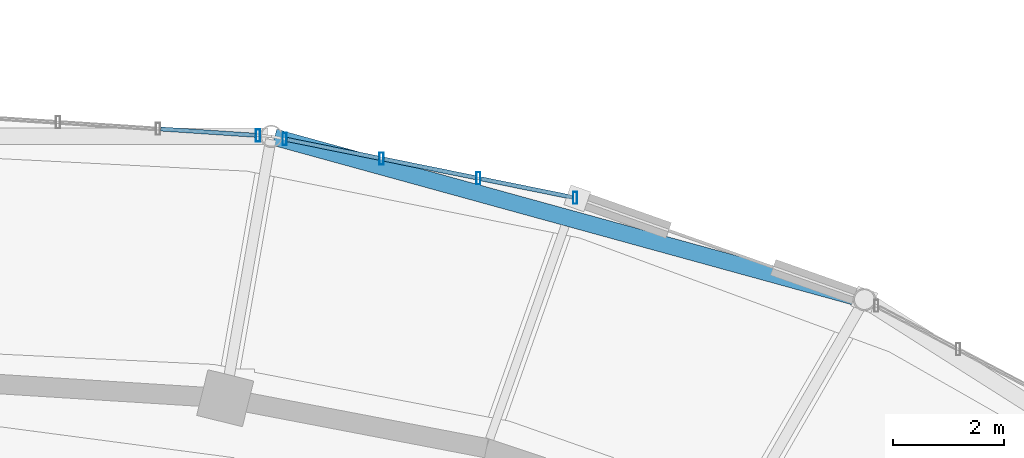
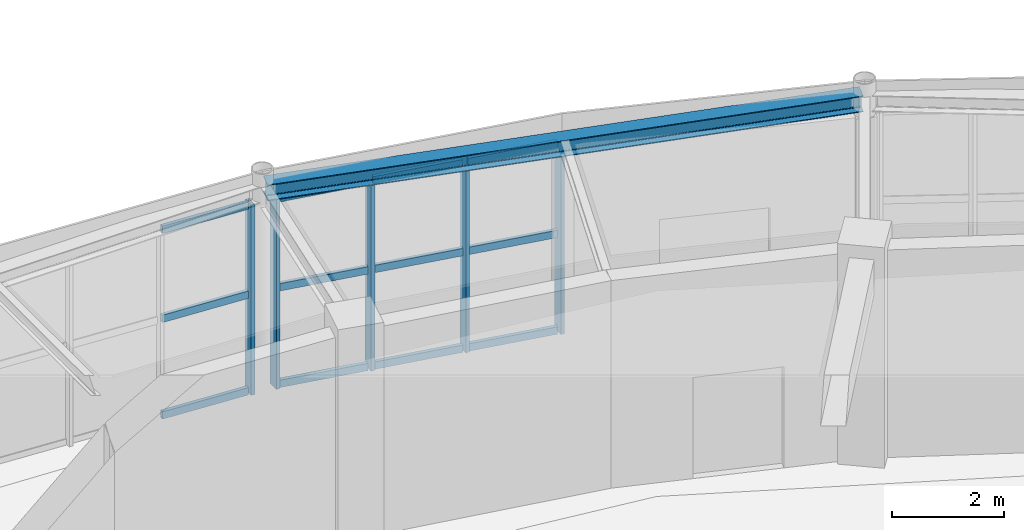
# One storey, part 57 of 108: 17 members, 1 beam, 2 elements without a shape of their own.
"""IFC4 building model written with IfcOpenShell, lengths in metres."""

from ifc_helpers import new_model, si_unit, direction, frame, origin, origin_2d, place, context, subcontext, project, spatial, hollow_rectangle, i_section, extrude, material, material_profile, profile_set, type_object, element, aggregate, save


model = new_model("IFC4")

# Units and contexts
model_context = context("Model", 3, precision=1e-05, world=origin(), true_north=direction((0.0, 1.0)))
body_context = subcontext(model_context, "Body", "Model", "MODEL_VIEW")
ifc_project = project(units=[si_unit("LENGTHUNIT", "METRE"), si_unit("AREAUNIT", "SQUARE_METRE"), si_unit("VOLUMEUNIT", "CUBIC_METRE"), si_unit("PLANEANGLEUNIT", "RADIAN"), si_unit("MASSUNIT", "GRAM", prefix="KILO")], contexts=[model_context])

# Site, building, storey
site_placement = place(None, origin())
site = spatial("IfcSite", under=ifc_project, at=site_placement, CompositionType="ELEMENT")
building_placement = place(site_placement, origin())
building = spatial("IfcBuilding", under=site, at=building_placement, Name="Tarnveldt Headland Concert Hall", CompositionType="ELEMENT")
storey_placement = place(building_placement, origin())
storey = spatial("IfcBuildingStorey", under=building, at=storey_placement, Name="L00", CompositionType="ELEMENT", Elevation=0.0)

# Curtain wall, members
ifc_material_1 = material(Name="Marine-anodised aluminium EN AW-6063-T6", Category="aluminium")
curtain_wall_type = type_object("IfcCurtainWallType", Name="CW-F1", PredefinedType="NOTDEFINED", material=ifc_material_1)
curtain_wall_1_placement = place(storey_placement, origin())
curtain_wall_1 = element("IfcCurtainWall", 1, at=curtain_wall_1_placement, inside=storey, type_object=curtain_wall_type, Name="Curtain wall CW-L00-006", PredefinedType="NOTDEFINED")
ifc_material_profile_1 = material_profile(ifc_material_1, hollow_rectangle(XDim=0.074951171875, YDim=0.219970703125, WallThickness=0.0048828125, at=origin_2d()), Name="ALU MULLION 75x220x5", Category="aluminium")
ifc_profile_set_1 = profile_set([ifc_material_profile_1], Name="Marine-anodised aluminium EN AW-6063-T6")
member_type_1 = type_object("IfcMemberType", Name="ML-200", PredefinedType="MULLION", material=ifc_profile_set_1)
member_1_placement = place(storey_placement, frame((94.67919921875, 77.812255859375, 0.0), z_axis=(0.0, 0.0, 1.0), x_axis=(1.0, 0.0, 0.0)))
member_1 = element("IfcMember", 2, at=member_1_placement, type_object=member_type_1, Name="Mullion CW-L00-006-1", PredefinedType="MULLION", context=body_context, shape_type="SweptSolid", body=[
    extrude(hollow_rectangle(XDim=0.074951171875, YDim=0.219970703125, WallThickness=0.0048828125, at=origin_2d()), origin(), (0.0, 0.0, 1.0), 4.139892578125),
])
member_2_placement = place(storey_placement, frame((92.930908203125, 78.16650390625, 0.0), z_axis=(0.0, 0.0, 1.0), x_axis=(1.0, 0.0, 0.0)))
member_2 = element("IfcMember", 3, at=member_2_placement, type_object=member_type_1, Name="Mullion CW-L00-006-2", PredefinedType="MULLION", context=body_context, shape_type="SweptSolid", body=[
    extrude(hollow_rectangle(XDim=0.074951171875, YDim=0.219970703125, WallThickness=0.0048828125, at=origin_2d()), origin(), (0.0, 0.0, 1.0), 4.139892578125),
])
member_3_placement = place(storey_placement, frame((91.182373046875, 78.520751953125, 0.0), z_axis=(0.0, 0.0, 1.0), x_axis=(1.0, 0.0, 0.0)))
member_3 = element("IfcMember", 4, at=member_3_placement, type_object=member_type_1, Name="Mullion CW-L00-006-3", PredefinedType="MULLION", context=body_context, shape_type="SweptSolid", body=[
    extrude(hollow_rectangle(XDim=0.074951171875, YDim=0.219970703125, WallThickness=0.0048828125, at=origin_2d()), origin(), (0.0, 0.0, 1.0), 4.139892578125),
])
member_4_placement = place(storey_placement, frame((89.43408203125, 78.875, 0.0), z_axis=(0.0, 0.0, 1.0), x_axis=(1.0, 0.0, 0.0)))
member_4 = element("IfcMember", 5, at=member_4_placement, type_object=member_type_1, Name="Mullion CW-L00-006-4", PredefinedType="MULLION", context=body_context, shape_type="SweptSolid", body=[
    extrude(hollow_rectangle(XDim=0.074951171875, YDim=0.219970703125, WallThickness=0.0048828125, at=origin_2d()), origin(), (0.0, 0.0, 1.0), 4.139892578125),
])

# Curtain wall, member
curtain_wall_2_placement = place(storey_placement, origin())
curtain_wall_2 = element("IfcCurtainWall", 6, at=curtain_wall_2_placement, inside=storey, type_object=curtain_wall_type, Name="Curtain wall CW-L00-007", PredefinedType="NOTDEFINED")
member_5_placement = place(storey_placement, frame((88.952880859375, 78.939208984375, 0.0), z_axis=(0.0, 0.0, 1.0), x_axis=(1.0, 0.0, 0.0)))
member_5 = element("IfcMember", 7, at=member_5_placement, type_object=member_type_1, Name="Mullion CW-L00-007-1", PredefinedType="MULLION", context=body_context, shape_type="SweptSolid", body=[
    extrude(hollow_rectangle(XDim=0.074951171875, YDim=0.219970703125, WallThickness=0.0048828125, at=origin_2d()), origin(), (0.0, 0.0, 1.0), 4.139892578125),
])

# Beam
ifc_material_2 = material(Name="Steel S355", Category="steel")
ifc_material_profile_2 = material_profile(ifc_material_2, i_section(OverallWidth=0.300048828125, OverallDepth=0.35009765625, WebThickness=0.010009765625, FlangeThickness=0.017578125, FilletRadius=0.027099609375, at=origin_2d()), Name="HEA360", Category="steel")
ifc_profile_set_2 = profile_set([ifc_material_profile_2], Name="Steel S355")
beam_type = type_object("IfcBeamType", Name="SB-HEA360", PredefinedType="SPANDREL", material=ifc_profile_set_2)
beam_placement = place(storey_placement, frame((99.84228515625, 75.993408203125, 4.344970703125), z_axis=(-0.964161617091, 0.265315616065, 0.0), x_axis=(-0.265315616065, -0.964161617091, 0.0)))
element("IfcBeam", 8, at=beam_placement, inside=storey, type_object=beam_type, Name="Framing beam L00-356", PredefinedType="SPANDREL", context=body_context, shape_type="SweptSolid", body=[
    extrude(i_section(OverallWidth=0.300048828125, OverallDepth=0.35009765625, WebThickness=0.010009765625, FlangeThickness=0.017578125, FilletRadius=0.027099609375, at=origin_2d()), origin(), (0.0, 0.0, 1.0), 10.982421875),
])

# Member
ifc_material_profile_3 = material_profile(ifc_material_1, hollow_rectangle(XDim=0.074951171875, YDim=0.159912109375, WallThickness=0.00390625, at=origin_2d()), Name="ALU TRANSOM 75x160x4", Category="aluminium")
ifc_profile_set_3 = profile_set([ifc_material_profile_3], Name="Marine-anodised aluminium EN AW-6063-T6")
member_type_2 = type_object("IfcMemberType", Name="TR-160", PredefinedType="MEMBER", material=ifc_profile_set_3)
member_6_placement = place(storey_placement, frame((94.630615234375, 77.822021484375, 0.050048828125), z_axis=(-0.980070264474, 0.198651143198, 0.0), x_axis=(-0.198651143198, -0.980070264474, 0.0)))
member_6 = element("IfcMember", 9, at=member_6_placement, type_object=member_type_2, Name="Transom CW-L00-006-1-1", PredefinedType="MEMBER", context=body_context, shape_type="SweptSolid", body=[
    extrude(hollow_rectangle(XDim=0.074951171875, YDim=0.159912109375, WallThickness=0.00390625, at=origin_2d()), origin(), (0.0, 0.0, 1.0), 1.68505859375),
])

member_7_placement = place(storey_placement, frame((94.630615234375, 77.822021484375, 2.15283203125), z_axis=(-0.980070264474, 0.198651143198, 0.0), x_axis=(-0.198651143198, -0.980070264474, 0.0)))
member_7 = element("IfcMember", 10, at=member_7_placement, type_object=member_type_2, Name="Transom CW-L00-006-1-2", PredefinedType="MEMBER", context=body_context, shape_type="SweptSolid", body=[
    extrude(hollow_rectangle(XDim=0.074951171875, YDim=0.159912109375, WallThickness=0.00390625, at=origin_2d()), origin(), (0.0, 0.0, 1.0), 1.68505859375),
])

member_8_placement = place(storey_placement, frame((94.630615234375, 77.822021484375, 4.090087890625), z_axis=(-0.980070264474, 0.198651143198, 0.0), x_axis=(-0.198651143198, -0.980070264474, 0.0)))
member_8 = element("IfcMember", 11, at=member_8_placement, type_object=member_type_2, Name="Transom CW-L00-006-1-3", PredefinedType="MEMBER", context=body_context, shape_type="SweptSolid", body=[
    extrude(hollow_rectangle(XDim=0.074951171875, YDim=0.159912109375, WallThickness=0.00390625, at=origin_2d()), origin(), (0.0, 0.0, 1.0), 1.68505859375),
])

member_9_placement = place(storey_placement, frame((92.88232421875, 78.17626953125, 0.050048828125), z_axis=(-0.980070264474, 0.198651143198, 0.0), x_axis=(-0.198651143198, -0.980070264474, 0.0)))
member_9 = element("IfcMember", 12, at=member_9_placement, type_object=member_type_2, Name="Transom CW-L00-006-2-1", PredefinedType="MEMBER", context=body_context, shape_type="SweptSolid", body=[
    extrude(hollow_rectangle(XDim=0.074951171875, YDim=0.159912109375, WallThickness=0.00390625, at=origin_2d()), origin(), (0.0, 0.0, 1.0), 1.68505859375),
])

member_10_placement = place(storey_placement, frame((92.88232421875, 78.17626953125, 2.15283203125), z_axis=(-0.980070264474, 0.198651143198, 0.0), x_axis=(-0.198651143198, -0.980070264474, 0.0)))
member_10 = element("IfcMember", 13, at=member_10_placement, type_object=member_type_2, Name="Transom CW-L00-006-2-2", PredefinedType="MEMBER", context=body_context, shape_type="SweptSolid", body=[
    extrude(hollow_rectangle(XDim=0.074951171875, YDim=0.159912109375, WallThickness=0.00390625, at=origin_2d()), origin(), (0.0, 0.0, 1.0), 1.68505859375),
])

member_11_placement = place(storey_placement, frame((92.88232421875, 78.17626953125, 4.090087890625), z_axis=(-0.980070264474, 0.198651143198, 0.0), x_axis=(-0.198651143198, -0.980070264474, 0.0)))
member_11 = element("IfcMember", 14, at=member_11_placement, type_object=member_type_2, Name="Transom CW-L00-006-2-3", PredefinedType="MEMBER", context=body_context, shape_type="SweptSolid", body=[
    extrude(hollow_rectangle(XDim=0.074951171875, YDim=0.159912109375, WallThickness=0.00390625, at=origin_2d()), origin(), (0.0, 0.0, 1.0), 1.68505859375),
])

member_12_placement = place(storey_placement, frame((91.1337890625, 78.530517578125, 0.050048828125), z_axis=(-0.980092754065, 0.19854015571, 0.0), x_axis=(-0.19854015571, -0.980092754065, 0.0)))
member_12 = element("IfcMember", 15, at=member_12_placement, type_object=member_type_2, Name="Transom CW-L00-006-3-1", PredefinedType="MEMBER", context=body_context, shape_type="SweptSolid", body=[
    extrude(hollow_rectangle(XDim=0.074951171875, YDim=0.159912109375, WallThickness=0.00390625, at=origin_2d()), origin(), (0.0, 0.0, 1.0), 1.6845703125),
])

member_13_placement = place(storey_placement, frame((91.1337890625, 78.530517578125, 2.15283203125), z_axis=(-0.980092754065, 0.19854015571, 0.0), x_axis=(-0.19854015571, -0.980092754065, 0.0)))
member_13 = element("IfcMember", 16, at=member_13_placement, type_object=member_type_2, Name="Transom CW-L00-006-3-2", PredefinedType="MEMBER", context=body_context, shape_type="SweptSolid", body=[
    extrude(hollow_rectangle(XDim=0.074951171875, YDim=0.159912109375, WallThickness=0.00390625, at=origin_2d()), origin(), (0.0, 0.0, 1.0), 1.6845703125),
])

member_14_placement = place(storey_placement, frame((91.1337890625, 78.530517578125, 4.090087890625), z_axis=(-0.980092754065, 0.19854015571, 0.0), x_axis=(-0.19854015571, -0.980092754065, 0.0)))
member_14 = element("IfcMember", 17, at=member_14_placement, type_object=member_type_2, Name="Transom CW-L00-006-3-3", PredefinedType="MEMBER", context=body_context, shape_type="SweptSolid", body=[
    extrude(hollow_rectangle(XDim=0.074951171875, YDim=0.159912109375, WallThickness=0.00390625, at=origin_2d()), origin(), (0.0, 0.0, 1.0), 1.6845703125),
])

aggregate(curtain_wall_1, [member_1, member_2, member_3, member_4, member_6, member_7, member_8, member_9, member_10, member_11, member_12, member_13, member_14])

member_15_placement = place(storey_placement, frame((88.903564453125, 78.942626953125, 0.050048828125), z_axis=(-0.997820408488, 0.065988123207, 0.0), x_axis=(-0.065988123207, -0.997820408488, 0.0)))
member_15 = element("IfcMember", 18, at=member_15_placement, type_object=member_type_2, Name="Transom CW-L00-007-1-1", PredefinedType="MEMBER", context=body_context, shape_type="SweptSolid", body=[
    extrude(hollow_rectangle(XDim=0.074951171875, YDim=0.159912109375, WallThickness=0.00390625, at=origin_2d()), origin(), (0.0, 0.0, 1.0), 1.709228515625),
])

member_16_placement = place(storey_placement, frame((88.903564453125, 78.942626953125, 2.15283203125), z_axis=(-0.997820408488, 0.065988123207, 0.0), x_axis=(-0.065988123207, -0.997820408488, 0.0)))
member_16 = element("IfcMember", 19, at=member_16_placement, type_object=member_type_2, Name="Transom CW-L00-007-1-2", PredefinedType="MEMBER", context=body_context, shape_type="SweptSolid", body=[
    extrude(hollow_rectangle(XDim=0.074951171875, YDim=0.159912109375, WallThickness=0.00390625, at=origin_2d()), origin(), (0.0, 0.0, 1.0), 1.709228515625),
])

member_17_placement = place(storey_placement, frame((88.903564453125, 78.942626953125, 4.090087890625), z_axis=(-0.997820408488, 0.065988123207, 0.0), x_axis=(-0.065988123207, -0.997820408488, 0.0)))
member_17 = element("IfcMember", 20, at=member_17_placement, type_object=member_type_2, Name="Transom CW-L00-007-1-3", PredefinedType="MEMBER", context=body_context, shape_type="SweptSolid", body=[
    extrude(hollow_rectangle(XDim=0.074951171875, YDim=0.159912109375, WallThickness=0.00390625, at=origin_2d()), origin(), (0.0, 0.0, 1.0), 1.709228515625),
])

aggregate(curtain_wall_2, [member_5, member_15, member_16, member_17])

save(model, "model.ifc")
